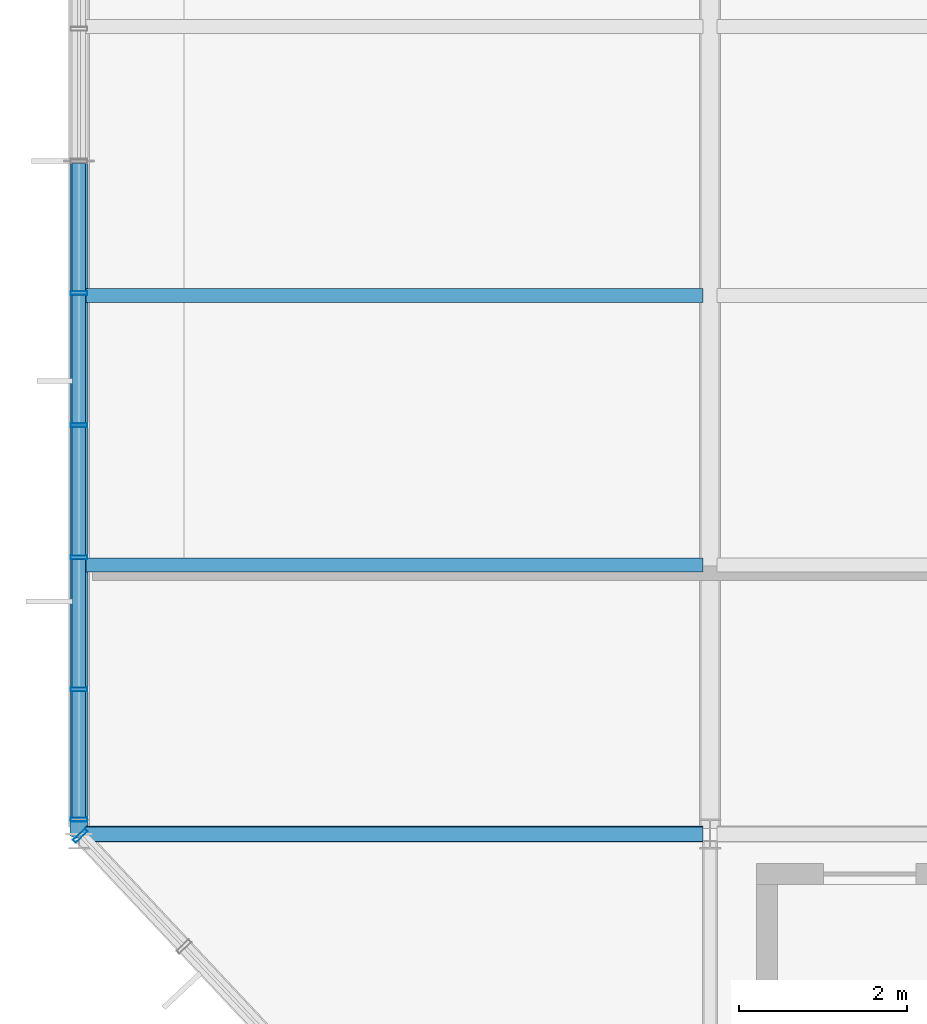
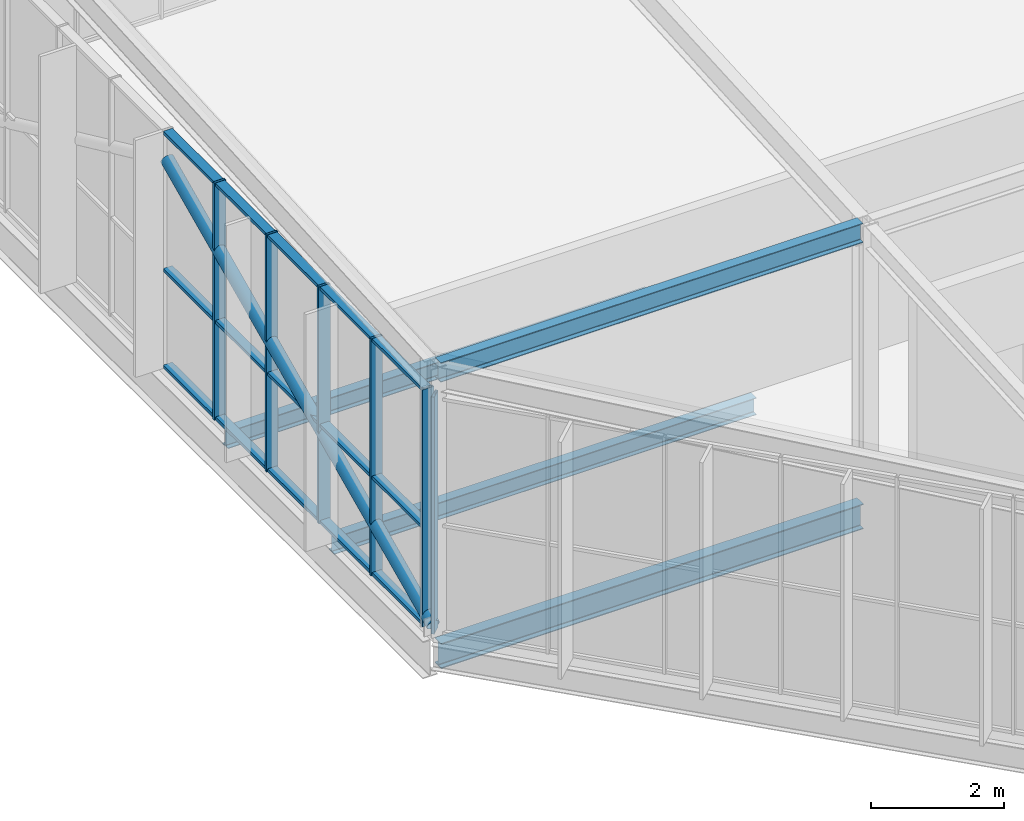
# One storey, part 12 of 104: 22 members, 4 beams, 2 elements without a shape of their own.
"""IFC4 building model written with IfcOpenShell, lengths in metres."""

from ifc_helpers import new_model, si_unit, direction, frame, origin, origin_2d, place, context, subcontext, project, spatial, hollow_rectangle, hollow_circle, i_section, extrude, material, layer, layer_set, material_profile, profile_set, type_object, element, aggregate, save


model = new_model("IFC4")

# Units and contexts
model_context = context("Model", 3, precision=1e-05, world=origin(), true_north=direction((0.0, 1.0)))
body_context = subcontext(model_context, "Body", "Model", "MODEL_VIEW")
ifc_project = project(units=[si_unit("LENGTHUNIT", "METRE"), si_unit("AREAUNIT", "SQUARE_METRE"), si_unit("VOLUMEUNIT", "CUBIC_METRE"), si_unit("PLANEANGLEUNIT", "RADIAN"), si_unit("MASSUNIT", "GRAM", prefix="KILO")], contexts=[model_context])

# Site, building, storey
site_placement = place(None, origin())
site = spatial("IfcSite", under=ifc_project, at=site_placement, CompositionType="ELEMENT")
building_placement = place(site_placement, origin())
building = spatial("IfcBuilding", under=site, at=building_placement, Name="Solvenia Promenade Tram Depot", CompositionType="ELEMENT")
storey_placement = place(building_placement, frame((0.0, 0.0, 9.0)))
storey = spatial("IfcBuildingStorey", under=building, at=storey_placement, Name="L02", CompositionType="ELEMENT", Elevation=9.0)

# Beam
ifc_material_1 = material(Name="Structural steel ASTM A992 Gr. 50", Category="steel")
ifc_material_profile_1 = material_profile(ifc_material_1, i_section(OverallWidth=0.19091796875, OverallDepth=0.4599609375, WebThickness=0.010009765625, FlangeThickness=0.01611328125, FilletRadius=0.012939453125, at=origin_2d()), Name="W460x82", Category="steel")
ifc_profile_set_1 = profile_set([ifc_material_profile_1], Name="Structural steel ASTM A992 Gr. 50")
beam_type_1 = type_object("IfcBeamType", Name="Beam-W460x82", PredefinedType="BEAM", material=ifc_profile_set_1)
beam_1_placement = place(storey_placement, frame((0.0849609375, 8.0, -0.449951171875), z_axis=(1.0, 0.0, 0.0), x_axis=(0.0, 1.0, 0.0)))
element("IfcBeam", 1, at=beam_1_placement, inside=storey, type_object=beam_type_1, Name="Primary Girder BM-L02-0529", PredefinedType="BEAM", context=body_context, shape_type="SweptSolid", body=[
    extrude(i_section(OverallWidth=0.19091796875, OverallDepth=0.4599609375, WebThickness=0.010009765625, FlangeThickness=0.01611328125, FilletRadius=0.012939453125, at=origin_2d()), origin(), (0.0, 0.0, 1.0), 7.330078125),
])

# Member
ifc_material_2 = material(Name="Structural steel ASTM A500 Gr. C", Category="steel")
ifc_material_profile_2 = material_profile(ifc_material_2, hollow_circle(Radius=0.109619140625, WallThickness=0.008056640625, at=origin_2d()), Name="CHS219.1x8", Category="steel")
ifc_profile_set_2 = profile_set([ifc_material_profile_2], Name="Structural steel ASTM A500 Gr. C")
member_type_1 = type_object("IfcMemberType", Name="Brace-CHS219x8", PredefinedType="BRACE", material=ifc_profile_set_2)
member_1_placement = place(storey_placement, frame((0.0, 8.0, 0.10009765625), z_axis=(0.0, 0.907629151412, 0.419772942799), x_axis=(-1.0, 0.0, 0.0)))
element("IfcMember", 2, at=member_1_placement, inside=storey, type_object=member_type_1, Name="PAC-DES Chevron Brace 14L", PredefinedType="BRACE", context=body_context, shape_type="SweptSolid", body=[
    extrude(hollow_circle(Radius=0.109619140625, WallThickness=0.008056640625, at=origin_2d()), origin(), (0.0, 0.0, 1.0), 8.814208984375),
])

# Curtain wall, member
ifc_material_3 = material(Name="Anodized aluminium AW-6063 T6", Category="aluminium")
ifc_layer_1 = layer(ifc_material_3, 0.179931640625, Name="Anodized aluminium AW-6063 T6", Category="aluminium")
ifc_layer_set_1 = layer_set([ifc_layer_1], Name="Anodized aluminium AW-6063 T6")
curtain_wall_type_1 = type_object("IfcCurtainWallType", Name="CW-Prom-1800", PredefinedType="NOTDEFINED", material=ifc_layer_set_1)
curtain_wall_1_placement = place(storey_placement, origin())
curtain_wall_1 = element("IfcCurtainWall", 3, at=curtain_wall_1_placement, inside=storey, type_object=curtain_wall_type_1, Name="L02 West Park Faceted Prow Curtain Wall", PredefinedType="NOTDEFINED")
ifc_material_profile_3 = material_profile(ifc_material_3, hollow_rectangle(XDim=0.199951171875, YDim=0.048095703125, WallThickness=0.00390625, at=origin_2d()), Name="ALU-M3", Category="aluminium")
ifc_profile_set_3 = profile_set([ifc_material_profile_3], Name="Anodized aluminium AW-6063 T6")
member_type_2 = type_object("IfcMemberType", Name="CWM-Mullion-3", PredefinedType="MULLION", material=ifc_profile_set_3)
member_2_placement = place(storey_placement, frame((0.016357421875, 7.982421875, 0.0), z_axis=(0.0, 0.0, 1.0), x_axis=(0.72953720414, 0.683941128881, 0.0)))
member_2 = element("IfcMember", 4, at=member_2_placement, type_object=member_type_2, Name="CW-9 mullion 1", PredefinedType="MULLION", context=body_context, shape_type="SweptSolid", body=[
    extrude(hollow_rectangle(XDim=0.199951171875, YDim=0.048095703125, WallThickness=0.00390625, at=origin_2d()), origin(), (0.0, 0.0, 1.0), 4.35009765625),
])
aggregate(curtain_wall_1, [member_2])

# Curtain wall, members
ifc_layer_2 = layer(ifc_material_3, 0.179931640625, Name="Anodized aluminium AW-6063 T6", Category="aluminium")
ifc_layer_set_2 = layer_set([ifc_layer_2], Name="Anodized aluminium AW-6063 T6")
curtain_wall_type_2 = type_object("IfcCurtainWallType", Name="CW-Solar-1500", PredefinedType="NOTDEFINED", material=ifc_layer_set_2)
curtain_wall_2_placement = place(storey_placement, origin())
curtain_wall_2 = element("IfcCurtainWall", 5, at=curtain_wall_2_placement, inside=storey, type_object=curtain_wall_type_2, Name="Curtain Wall CW-V4W-L02", PredefinedType="NOTDEFINED")
member_3_placement = place(storey_placement, frame((0.0, 8.174072265625, 0.0), z_axis=(0.0, 0.0, 1.0), x_axis=(-1.0, 0.0, 0.0)))
member_3 = element("IfcMember", 6, at=member_3_placement, type_object=member_type_2, Name="CW-7 mullion 1", PredefinedType="MULLION", context=body_context, shape_type="SweptSolid", body=[
    extrude(hollow_rectangle(XDim=0.199951171875, YDim=0.048095703125, WallThickness=0.00390625, at=origin_2d()), origin(), (0.0, 0.0, 1.0), 4.35009765625),
])
member_4_placement = place(storey_placement, frame((0.0, 9.719970703125, 0.0), z_axis=(0.0, 0.0, 1.0), x_axis=(-1.0, 0.0, 0.0)))
member_4 = element("IfcMember", 7, at=member_4_placement, type_object=member_type_2, Name="CW-7 mullion 2", PredefinedType="MULLION", context=body_context, shape_type="SweptSolid", body=[
    extrude(hollow_rectangle(XDim=0.199951171875, YDim=0.048095703125, WallThickness=0.00390625, at=origin_2d()), origin(), (0.0, 0.0, 1.0), 4.35009765625),
])
member_5_placement = place(storey_placement, frame((0.0, 11.2900390625, 0.0), z_axis=(0.0, 0.0, 1.0), x_axis=(-1.0, 0.0, 0.0)))
member_5 = element("IfcMember", 8, at=member_5_placement, type_object=member_type_2, Name="CW-7 mullion 3", PredefinedType="MULLION", context=body_context, shape_type="SweptSolid", body=[
    extrude(hollow_rectangle(XDim=0.199951171875, YDim=0.048095703125, WallThickness=0.00390625, at=origin_2d()), origin(), (0.0, 0.0, 1.0), 4.35009765625),
])
member_6_placement = place(storey_placement, frame((0.0, 12.860107421875, 0.0), z_axis=(0.0, 0.0, 1.0), x_axis=(-1.0, 0.0, 0.0)))
member_6 = element("IfcMember", 9, at=member_6_placement, type_object=member_type_2, Name="CW-7 mullion 4", PredefinedType="MULLION", context=body_context, shape_type="SweptSolid", body=[
    extrude(hollow_rectangle(XDim=0.199951171875, YDim=0.048095703125, WallThickness=0.00390625, at=origin_2d()), origin(), (0.0, 0.0, 1.0), 4.35009765625),
])
member_7_placement = place(storey_placement, frame((0.0, 14.429931640625, 0.0), z_axis=(0.0, 0.0, 1.0), x_axis=(-1.0, 0.0, 0.0)))
member_7 = element("IfcMember", 10, at=member_7_placement, type_object=member_type_2, Name="CW-7 mullion 5", PredefinedType="MULLION", context=body_context, shape_type="SweptSolid", body=[
    extrude(hollow_rectangle(XDim=0.199951171875, YDim=0.048095703125, WallThickness=0.00390625, at=origin_2d()), origin(), (0.0, 0.0, 1.0), 4.35009765625),
])
ifc_material_profile_4 = material_profile(ifc_material_3, hollow_rectangle(XDim=0.159912109375, YDim=0.05810546875, WallThickness=0.00390625, at=origin_2d()), Name="ALU-T3", Category="aluminium")
ifc_profile_set_4 = profile_set([ifc_material_profile_4], Name="Anodized aluminium AW-6063 T6")
member_type_3 = type_object("IfcMemberType", Name="CWT-Transom-3", PredefinedType="USERDEFINED", material=ifc_profile_set_4)
member_8_placement = place(storey_placement, frame((0.0, 8.197998046875, 0.029052734375), z_axis=(0.0, 1.0, 0.0), x_axis=(-1.0, 0.0, 0.0)))
member_8 = element("IfcMember", 11, at=member_8_placement, type_object=member_type_3, Name="CW-7 transom 1.1", ObjectType="TRANSOM", PredefinedType="USERDEFINED", context=body_context, shape_type="SweptSolid", body=[
    extrude(hollow_rectangle(XDim=0.159912109375, YDim=0.05810546875, WallThickness=0.00390625, at=origin_2d()), origin(), (0.0, 0.0, 1.0), 1.498046875),
])
member_9_placement = place(storey_placement, frame((0.0, 8.197998046875, 1.800048828125), z_axis=(0.0, 1.0, 0.0), x_axis=(-1.0, 0.0, 0.0)))
member_9 = element("IfcMember", 12, at=member_9_placement, type_object=member_type_3, Name="CW-7 transom 1.2", ObjectType="TRANSOM", PredefinedType="USERDEFINED", context=body_context, shape_type="SweptSolid", body=[
    extrude(hollow_rectangle(XDim=0.159912109375, YDim=0.05810546875, WallThickness=0.00390625, at=origin_2d()), origin(), (0.0, 0.0, 1.0), 1.498046875),
])
member_10_placement = place(storey_placement, frame((0.0, 8.197998046875, 4.321044921875), z_axis=(0.0, 1.0, 0.0), x_axis=(-1.0, 0.0, 0.0)))
member_10 = element("IfcMember", 13, at=member_10_placement, type_object=member_type_3, Name="CW-7 transom 1.3", ObjectType="TRANSOM", PredefinedType="USERDEFINED", context=body_context, shape_type="SweptSolid", body=[
    extrude(hollow_rectangle(XDim=0.159912109375, YDim=0.05810546875, WallThickness=0.00390625, at=origin_2d()), origin(), (0.0, 0.0, 1.0), 1.498046875),
])
member_11_placement = place(storey_placement, frame((0.0, 9.743896484375, 0.029052734375), z_axis=(0.0, 1.0, 0.0), x_axis=(-1.0, 0.0, 0.0)))
member_11 = element("IfcMember", 14, at=member_11_placement, type_object=member_type_3, Name="CW-7 transom 2.1", ObjectType="TRANSOM", PredefinedType="USERDEFINED", context=body_context, shape_type="SweptSolid", body=[
    extrude(hollow_rectangle(XDim=0.159912109375, YDim=0.05810546875, WallThickness=0.00390625, at=origin_2d()), origin(), (0.0, 0.0, 1.0), 1.522216796875),
])
member_12_placement = place(storey_placement, frame((0.0, 9.743896484375, 1.800048828125), z_axis=(0.0, 1.0, 0.0), x_axis=(-1.0, 0.0, 0.0)))
member_12 = element("IfcMember", 15, at=member_12_placement, type_object=member_type_3, Name="CW-7 transom 2.2", ObjectType="TRANSOM", PredefinedType="USERDEFINED", context=body_context, shape_type="SweptSolid", body=[
    extrude(hollow_rectangle(XDim=0.159912109375, YDim=0.05810546875, WallThickness=0.00390625, at=origin_2d()), origin(), (0.0, 0.0, 1.0), 1.522216796875),
])
member_13_placement = place(storey_placement, frame((0.0, 9.743896484375, 4.321044921875), z_axis=(0.0, 1.0, 0.0), x_axis=(-1.0, 0.0, 0.0)))
member_13 = element("IfcMember", 16, at=member_13_placement, type_object=member_type_3, Name="CW-7 transom 2.3", ObjectType="TRANSOM", PredefinedType="USERDEFINED", context=body_context, shape_type="SweptSolid", body=[
    extrude(hollow_rectangle(XDim=0.159912109375, YDim=0.05810546875, WallThickness=0.00390625, at=origin_2d()), origin(), (0.0, 0.0, 1.0), 1.522216796875),
])
member_14_placement = place(storey_placement, frame((0.0, 11.31396484375, 0.029052734375), z_axis=(0.0, 1.0, 0.0), x_axis=(-1.0, 0.0, 0.0)))
member_14 = element("IfcMember", 17, at=member_14_placement, type_object=member_type_3, Name="CW-7 transom 3.1", ObjectType="TRANSOM", PredefinedType="USERDEFINED", context=body_context, shape_type="SweptSolid", body=[
    extrude(hollow_rectangle(XDim=0.159912109375, YDim=0.05810546875, WallThickness=0.00390625, at=origin_2d()), origin(), (0.0, 0.0, 1.0), 1.52197265625),
])
member_15_placement = place(storey_placement, frame((0.0, 11.31396484375, 1.800048828125), z_axis=(0.0, 1.0, 0.0), x_axis=(-1.0, 0.0, 0.0)))
member_15 = element("IfcMember", 18, at=member_15_placement, type_object=member_type_3, Name="CW-7 transom 3.2", ObjectType="TRANSOM", PredefinedType="USERDEFINED", context=body_context, shape_type="SweptSolid", body=[
    extrude(hollow_rectangle(XDim=0.159912109375, YDim=0.05810546875, WallThickness=0.00390625, at=origin_2d()), origin(), (0.0, 0.0, 1.0), 1.52197265625),
])
member_16_placement = place(storey_placement, frame((0.0, 11.31396484375, 4.321044921875), z_axis=(0.0, 1.0, 0.0), x_axis=(-1.0, 0.0, 0.0)))
member_16 = element("IfcMember", 19, at=member_16_placement, type_object=member_type_3, Name="CW-7 transom 3.3", ObjectType="TRANSOM", PredefinedType="USERDEFINED", context=body_context, shape_type="SweptSolid", body=[
    extrude(hollow_rectangle(XDim=0.159912109375, YDim=0.05810546875, WallThickness=0.00390625, at=origin_2d()), origin(), (0.0, 0.0, 1.0), 1.52197265625),
])
member_17_placement = place(storey_placement, frame((0.0, 12.884033203125, 0.029052734375), z_axis=(0.0, 1.0, 0.0), x_axis=(-1.0, 0.0, 0.0)))
member_17 = element("IfcMember", 20, at=member_17_placement, type_object=member_type_3, Name="CW-7 transom 4.1", ObjectType="TRANSOM", PredefinedType="USERDEFINED", context=body_context, shape_type="SweptSolid", body=[
    extrude(hollow_rectangle(XDim=0.159912109375, YDim=0.05810546875, WallThickness=0.00390625, at=origin_2d()), origin(), (0.0, 0.0, 1.0), 1.52197265625),
])
member_18_placement = place(storey_placement, frame((0.0, 12.884033203125, 1.800048828125), z_axis=(0.0, 1.0, 0.0), x_axis=(-1.0, 0.0, 0.0)))
member_18 = element("IfcMember", 21, at=member_18_placement, type_object=member_type_3, Name="CW-7 transom 4.2", ObjectType="TRANSOM", PredefinedType="USERDEFINED", context=body_context, shape_type="SweptSolid", body=[
    extrude(hollow_rectangle(XDim=0.159912109375, YDim=0.05810546875, WallThickness=0.00390625, at=origin_2d()), origin(), (0.0, 0.0, 1.0), 1.52197265625),
])
member_19_placement = place(storey_placement, frame((0.0, 12.884033203125, 4.321044921875), z_axis=(0.0, 1.0, 0.0), x_axis=(-1.0, 0.0, 0.0)))
member_19 = element("IfcMember", 22, at=member_19_placement, type_object=member_type_3, Name="CW-7 transom 4.3", ObjectType="TRANSOM", PredefinedType="USERDEFINED", context=body_context, shape_type="SweptSolid", body=[
    extrude(hollow_rectangle(XDim=0.159912109375, YDim=0.05810546875, WallThickness=0.00390625, at=origin_2d()), origin(), (0.0, 0.0, 1.0), 1.52197265625),
])
member_20_placement = place(storey_placement, frame((0.0, 14.4541015625, 0.029052734375), z_axis=(0.0, 1.0, 0.0), x_axis=(-1.0, 0.0, 0.0)))
member_20 = element("IfcMember", 23, at=member_20_placement, type_object=member_type_3, Name="CW-7 transom 5.1", ObjectType="TRANSOM", PredefinedType="USERDEFINED", context=body_context, shape_type="SweptSolid", body=[
    extrude(hollow_rectangle(XDim=0.159912109375, YDim=0.05810546875, WallThickness=0.00390625, at=origin_2d()), origin(), (0.0, 0.0, 1.0), 1.52197265625),
])
member_21_placement = place(storey_placement, frame((0.0, 14.4541015625, 1.800048828125), z_axis=(0.0, 1.0, 0.0), x_axis=(-1.0, 0.0, 0.0)))
member_21 = element("IfcMember", 24, at=member_21_placement, type_object=member_type_3, Name="CW-7 transom 5.2", ObjectType="TRANSOM", PredefinedType="USERDEFINED", context=body_context, shape_type="SweptSolid", body=[
    extrude(hollow_rectangle(XDim=0.159912109375, YDim=0.05810546875, WallThickness=0.00390625, at=origin_2d()), origin(), (0.0, 0.0, 1.0), 1.52197265625),
])
member_22_placement = place(storey_placement, frame((0.0, 14.4541015625, 4.321044921875), z_axis=(0.0, 1.0, 0.0), x_axis=(-1.0, 0.0, 0.0)))
member_22 = element("IfcMember", 25, at=member_22_placement, type_object=member_type_3, Name="CW-7 transom 5.3", ObjectType="TRANSOM", PredefinedType="USERDEFINED", context=body_context, shape_type="SweptSolid", body=[
    extrude(hollow_rectangle(XDim=0.159912109375, YDim=0.05810546875, WallThickness=0.00390625, at=origin_2d()), origin(), (0.0, 0.0, 1.0), 1.52197265625),
])
aggregate(curtain_wall_2, [member_3, member_4, member_5, member_6, member_7, member_8, member_9, member_10, member_11, member_12, member_13, member_14, member_15, member_16, member_17, member_18, member_19, member_20, member_21, member_22])

# Beams
ifc_material_profile_5 = material_profile(ifc_material_1, i_section(OverallWidth=0.166015625, OverallDepth=0.31298828125, WebThickness=0.006591796875, FlangeThickness=0.01123046875, FilletRadius=0.010009765625, at=origin_2d()), Name="W310x45", Category="steel")
ifc_profile_set_5 = profile_set([ifc_material_profile_5], Name="Structural steel ASTM A992 Gr. 50")
beam_type_2 = type_object("IfcBeamType", Name="Joist-W310x45", PredefinedType="JOIST", material=ifc_profile_set_5)
for number, where, z_axis, x_axis, name in (
    (26, (0.0849609375, 11.199951171875, -0.37646484375), (1.0, 0.0, 0.0), (0.0, 1.0, 0.0), "Secondary Floor Joist BM-L02-0559"),
    (27, (0.0849609375, 14.39990234375, -0.37646484375), (1.0, 0.0, 0.0), (0.0, 1.0, 0.0), "Secondary Floor Joist BM-L02-0560"),
):
    element("IfcBeam", number, at=place(storey_placement, frame(where, z_axis=z_axis, x_axis=x_axis)), inside=storey, type_object=beam_type_2, Name=name, PredefinedType="JOIST", context=body_context, shape_type="SweptSolid", body=[
        extrude(i_section(OverallWidth=0.166015625, OverallDepth=0.31298828125, WebThickness=0.006591796875, FlangeThickness=0.01123046875, FilletRadius=0.010009765625, at=origin_2d()), origin(), (0.0, 0.0, 1.0), 7.330078125),
    ])
ifc_material_profile_6 = material_profile(ifc_material_1, i_section(OverallWidth=0.172119140625, OverallDepth=0.35791015625, WebThickness=0.0078125, FlangeThickness=0.01318359375, FilletRadius=0.010986328125, at=origin_2d()), Name="W360x57", Category="steel")
ifc_profile_set_6 = profile_set([ifc_material_profile_6], Name="Structural steel ASTM A992 Gr. 50")
beam_type_3 = type_object("IfcBeamType", Name="Spandrel-W360x57", PredefinedType="SPANDREL", material=ifc_profile_set_6)
beam_2_placement = place(storey_placement, frame((0.0849609375, 8.0, 4.747802734375), z_axis=(1.0, 0.0, 0.0), x_axis=(0.0, 1.0, 0.0)))
element("IfcBeam", 28, at=beam_2_placement, inside=storey, type_object=beam_type_3, Name="Folded Wing Roof Eave Beam BM-L02-0859", PredefinedType="SPANDREL", context=body_context, shape_type="SweptSolid", body=[
    extrude(i_section(OverallWidth=0.172119140625, OverallDepth=0.35791015625, WebThickness=0.0078125, FlangeThickness=0.01318359375, FilletRadius=0.010986328125, at=origin_2d()), origin(), (0.0, 0.0, 1.0), 7.330078125),
])

save(model, "model.ifc")
